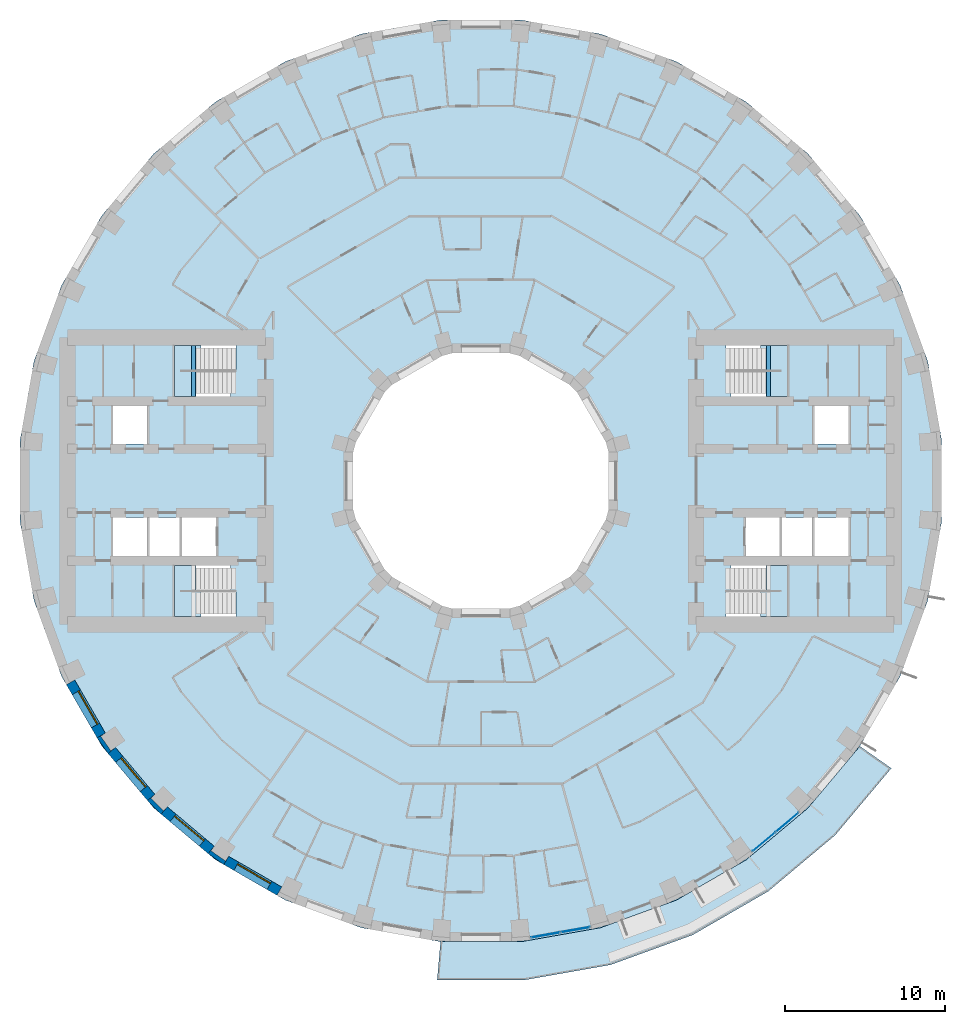
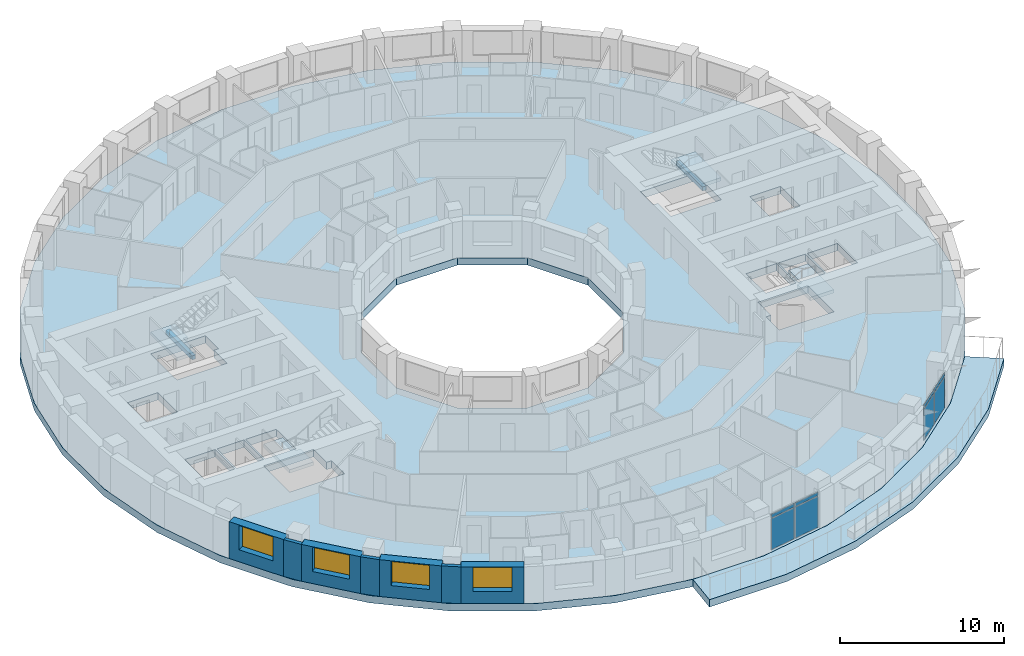
# One storey, part 4 of 16: 8 plates, 7 walls, 6 slabs, 4 windows, 2 beams, 4 openings, 6 elements without a shape of their own.
"""IFC4 building model written with IfcOpenShell, lengths in metres."""

from ifc_helpers import new_model, si_unit, direction, frame, frame_2d, origin, origin_2d, place, context, subcontext, project, spatial, polyline, rectangle, outline, extrude, material, layer, layer_set, material_profile, profile_set, type_object, element, fill, aggregate, save


model = new_model("IFC4")

# Units and contexts
model_context = context("Model", 3, precision=1e-05, world=origin(), true_north=direction((0.0, 1.0)))
body_context = subcontext(model_context, "Body", "Model", "MODEL_VIEW")
ifc_project = project(units=[si_unit("LENGTHUNIT", "METRE"), si_unit("AREAUNIT", "SQUARE_METRE"), si_unit("VOLUMEUNIT", "CUBIC_METRE"), si_unit("PLANEANGLEUNIT", "RADIAN"), si_unit("MASSUNIT", "GRAM", prefix="KILO")], contexts=[model_context])

# Site, building, storey
site_placement = place(None, origin())
site = spatial("IfcSite", under=ifc_project, at=site_placement, CompositionType="ELEMENT")
building_placement = place(site_placement, origin())
building = spatial("IfcBuilding", under=site, at=building_placement, Name="Saqina Gate Tower", CompositionType="ELEMENT")
storey_placement = place(building_placement, frame((0.0, 0.0, 32.89990234375)))
storey = spatial("IfcBuildingStorey", under=building, at=storey_placement, Name="L08", CompositionType="ELEMENT", Elevation=32.89990234375)

# Beams
ifc_material_1 = material(Name="Concrete C40/50", Category="concrete")
ifc_material_profile = material_profile(ifc_material_1, rectangle(XDim=0.25, YDim=0.300048828125, at=origin_2d()), Name="STAIR LANDING BEAM")
ifc_profile_set = profile_set([ifc_material_profile], Name="Concrete C40/50")
beam_type = type_object("IfcBeamType", Name="STAIR LANDING BEAM", PredefinedType="BEAM", material=ifc_profile_set)
for number, where, z_axis, x_axis, name in (
    (1, (18.02001953125, 5.300048828125, 1.25), (0.0, 1.0, 0.0), (-1.0, 0.0, 0.0), "EXIT STAIR 1 LANDING BEAM"),
    (2, (-18.02001953125, 5.300048828125, 1.25), (0.0, 1.0, 0.0), (-1.0, 0.0, 0.0), "EXIT STAIR 3 LANDING BEAM"),
):
    element("IfcBeam", number, at=place(storey_placement, frame(where, z_axis=z_axis, x_axis=x_axis)), inside=storey, type_object=beam_type, Name=name, PredefinedType="BEAM", context=body_context, shape_type="SweptSolid", body=[
        extrude(rectangle(XDim=0.25, YDim=0.300048828125, at=origin_2d()), origin(), (0.0, 0.0, 1.0), 3.199951171875),
    ])

# Curtain wall, plates
ifc_material_2 = material(Name="Aluminium glazing", Category="aluminium")
ifc_layer_1 = layer(ifc_material_2, 0.159912109375)
ifc_layer_set_1 = layer_set([ifc_layer_1], Name="CWT-4")
curtain_wall_type = type_object("IfcCurtainWallType", Name="CWT-4", PredefinedType="NOTDEFINED", material=ifc_layer_set_1)
curtain_wall_1_placement = place(storey_placement, origin())
curtain_wall_1 = element("IfcCurtainWall", 3, at=curtain_wall_1_placement, inside=storey, type_object=curtain_wall_type, Name="Terrace lounge glazing facet 28", PredefinedType="NOTDEFINED")
ifc_material_3 = material(Name="Glass", Category="glass")
ifc_layer_2 = layer(ifc_material_3, 0.028076171875)
ifc_layer_set_2 = layer_set([ifc_layer_2], Name="CWT-4P")
plate_type = type_object("IfcPlateType", Name="CWT-4P", PredefinedType="CURTAIN_PANEL", material=ifc_layer_set_2)
plate_1_placement = place(storey_placement, frame((4.05859375, -28.46728515625, 0.06005859375), z_axis=(0.0, 0.0, 1.0), x_axis=(0.984808678199, 0.17364293059, 0.0)))
plate_1 = element("IfcPlate", 4, at=plate_1_placement, type_object=plate_type, Name="CW4-28 panel 1.1", PredefinedType="CURTAIN_PANEL", context=body_context, shape_type="SweptSolid", body=[
    extrude(rectangle(XDim=1.8330078125, YDim=0.028076171875, at=origin_2d()), origin(), (0.0, 0.0, 1.0), 2.31005859375),
])
plate_2_placement = place(storey_placement, frame((4.05859375, -28.46728515625, 2.43017578125), z_axis=(0.0, 0.0, 1.0), x_axis=(0.984808678199, 0.17364293059, 0.0)))
plate_2 = element("IfcPlate", 5, at=plate_2_placement, type_object=plate_type, Name="CW4-28 panel 1.2", PredefinedType="CURTAIN_PANEL", context=body_context, shape_type="SweptSolid", body=[
    extrude(rectangle(XDim=1.8330078125, YDim=0.028076171875, at=origin_2d()), origin(), (0.0, 0.0, 1.0), 0.260009765625),
])
plate_3_placement = place(storey_placement, frame((5.922607421875, -28.138671875, 0.06005859375), z_axis=(0.0, 0.0, 1.0), x_axis=(0.984808678199, 0.17364293059, 0.0)))
plate_3 = element("IfcPlate", 6, at=plate_3_placement, type_object=plate_type, Name="CW4-28 panel 2.1", PredefinedType="CURTAIN_PANEL", context=body_context, shape_type="SweptSolid", body=[
    extrude(rectangle(XDim=1.8330078125, YDim=0.028076171875, at=origin_2d()), origin(), (0.0, 0.0, 1.0), 2.31005859375),
])
plate_4_placement = place(storey_placement, frame((5.922607421875, -28.138671875, 2.43017578125), z_axis=(0.0, 0.0, 1.0), x_axis=(0.984808678199, 0.17364293059, 0.0)))
plate_4 = element("IfcPlate", 7, at=plate_4_placement, type_object=plate_type, Name="CW4-28 panel 2.2", PredefinedType="CURTAIN_PANEL", context=body_context, shape_type="SweptSolid", body=[
    extrude(rectangle(XDim=1.8330078125, YDim=0.028076171875, at=origin_2d()), origin(), (0.0, 0.0, 1.0), 0.260009765625),
])
aggregate(curtain_wall_1, [plate_1, plate_2, plate_3, plate_4])

curtain_wall_2_placement = place(storey_placement, origin())
curtain_wall_2 = element("IfcCurtainWall", 8, at=curtain_wall_2_placement, inside=storey, type_object=curtain_wall_type, Name="Terrace lounge glazing facet 31", PredefinedType="NOTDEFINED")
plate_5_placement = place(storey_placement, frame((17.74853515625, -22.624267578125, 0.06005859375), z_axis=(0.0, 0.0, 1.0), x_axis=(0.766040784332, 0.642791970033, 0.0)))
plate_5 = element("IfcPlate", 9, at=plate_5_placement, type_object=plate_type, Name="CW4-31 panel 1.1", PredefinedType="CURTAIN_PANEL", context=body_context, shape_type="SweptSolid", body=[
    extrude(rectangle(XDim=1.8330078125, YDim=0.028076171875, at=origin_2d()), origin(), (0.0, 0.0, 1.0), 2.31005859375),
])
plate_6_placement = place(storey_placement, frame((17.74853515625, -22.624267578125, 2.43017578125), z_axis=(0.0, 0.0, 1.0), x_axis=(0.766040784332, 0.642791970033, 0.0)))
plate_6 = element("IfcPlate", 10, at=plate_6_placement, type_object=plate_type, Name="CW4-31 panel 1.2", PredefinedType="CURTAIN_PANEL", context=body_context, shape_type="SweptSolid", body=[
    extrude(rectangle(XDim=1.8330078125, YDim=0.028076171875, at=origin_2d()), origin(), (0.0, 0.0, 1.0), 0.260009765625),
])
plate_7_placement = place(storey_placement, frame((19.198486328125, -21.407470703125, 0.06005859375), z_axis=(0.0, 0.0, 1.0), x_axis=(0.766040784332, 0.642791970033, 0.0)))
plate_7 = element("IfcPlate", 11, at=plate_7_placement, type_object=plate_type, Name="CW4-31 panel 2.1", PredefinedType="CURTAIN_PANEL", context=body_context, shape_type="SweptSolid", body=[
    extrude(rectangle(XDim=1.8330078125, YDim=0.028076171875, at=origin_2d()), origin(), (0.0, 0.0, 1.0), 2.31005859375),
])
plate_8_placement = place(storey_placement, frame((19.198486328125, -21.407470703125, 2.43017578125), z_axis=(0.0, 0.0, 1.0), x_axis=(0.766040784332, 0.642791970033, 0.0)))
plate_8 = element("IfcPlate", 12, at=plate_8_placement, type_object=plate_type, Name="CW4-31 panel 2.2", PredefinedType="CURTAIN_PANEL", context=body_context, shape_type="SweptSolid", body=[
    extrude(rectangle(XDim=1.8330078125, YDim=0.028076171875, at=origin_2d()), origin(), (0.0, 0.0, 1.0), 0.260009765625),
])
aggregate(curtain_wall_2, [plate_5, plate_6, plate_7, plate_8])

# Stair, slab
ifc_material_4 = material(Name="Concrete C40/50", Category="concrete")
stair_type = type_object("IfcStairType", Name="EXIT STAIR", PredefinedType="HALF_TURN_STAIR", material=ifc_material_4)
stair_1_placement = place(storey_placement, origin())
stair_1 = element("IfcStair", 13, at=stair_1_placement, inside=storey, type_object=stair_type, Name="EXIT STAIR 1", PredefinedType="HALF_TURN_STAIR")
ifc_material_5 = material(Name="Concrete C40/50", Category="concrete")
ifc_layer_3 = layer(ifc_material_5, 0.25)
ifc_layer_set_3 = layer_set([ifc_layer_3], Name="Concrete C40/50")
slab_type_1 = type_object("IfcSlabType", Name="EXIT STAIR LANDING", PredefinedType="LANDING", material=ifc_layer_set_3)
slab_1_placement = place(storey_placement, frame((0.0, 0.0, 1.400146484375)))
slab_1 = element("IfcSlab", 14, at=slab_1_placement, type_object=slab_type_1, Name="EXIT STAIR 1 LANDING 1", PredefinedType="LANDING", context=body_context, shape_type="SweptSolid", body=[
    extrude(outline(polyline([(19.219970703125, 8.5), (19.219970703125, 5.300048828125), (17.864990234375, 5.300048828125), (17.864990234375, 6.89990234375), (17.534423828125, 6.89990234375), (17.534423828125, 8.5), (17.864990234375, 8.5), (17.8701171875, 8.5), (19.219970703125, 8.5)])), origin(), (0.0, 0.0, 1.0), 0.25),
])
aggregate(stair_1, [slab_1])

stair_2_placement = place(storey_placement, origin())
stair_2 = element("IfcStair", 15, at=stair_2_placement, inside=storey, type_object=stair_type, Name="EXIT STAIR 2", PredefinedType="HALF_TURN_STAIR")
slab_2_placement = place(storey_placement, frame((0.0, 0.0, 1.400146484375)))
slab_2 = element("IfcSlab", 16, at=slab_2_placement, type_object=slab_type_1, Name="EXIT STAIR 2 LANDING 1", PredefinedType="LANDING", context=body_context, shape_type="SweptSolid", body=[
    extrude(outline(polyline([(17.534423828125, -8.5), (17.534423828125, -6.89990234375), (17.864990234375, -6.89990234375), (17.864990234375, -5.300048828125), (19.219970703125, -5.300048828125), (19.219970703125, -8.5), (17.8701171875, -8.5), (17.864990234375, -8.5), (17.534423828125, -8.5)])), origin(), (0.0, 0.0, 1.0), 0.25),
])
aggregate(stair_2, [slab_2])

stair_3_placement = place(storey_placement, origin())
stair_3 = element("IfcStair", 17, at=stair_3_placement, inside=storey, type_object=stair_type, Name="EXIT STAIR 3", PredefinedType="HALF_TURN_STAIR")
slab_3_placement = place(storey_placement, frame((0.0, 0.0, 1.400146484375)))
slab_3 = element("IfcSlab", 18, at=slab_3_placement, type_object=slab_type_1, Name="EXIT STAIR 3 LANDING 1", PredefinedType="LANDING", context=body_context, shape_type="SweptSolid", body=[
    extrude(outline(polyline([(-17.864990234375, 5.300048828125), (-19.219970703125, 5.300048828125), (-19.219970703125, 8.5), (-17.8701171875, 8.5), (-17.864990234375, 8.5), (-17.534423828125, 8.5), (-17.534423828125, 6.89990234375), (-17.864990234375, 6.89990234375), (-17.864990234375, 5.300048828125)])), origin(), (0.0, 0.0, 1.0), 0.25),
])
aggregate(stair_3, [slab_3])

stair_4_placement = place(storey_placement, origin())
stair_4 = element("IfcStair", 19, at=stair_4_placement, inside=storey, type_object=stair_type, Name="EXIT STAIR 4", PredefinedType="HALF_TURN_STAIR")
slab_4_placement = place(storey_placement, frame((0.0, 0.0, 1.400146484375)))
slab_4 = element("IfcSlab", 20, at=slab_4_placement, type_object=slab_type_1, Name="EXIT STAIR 4 LANDING 1", PredefinedType="LANDING", context=body_context, shape_type="SweptSolid", body=[
    extrude(outline(polyline([(-17.534423828125, -6.89990234375), (-17.534423828125, -8.5), (-17.864990234375, -8.5), (-17.8701171875, -8.5), (-19.219970703125, -8.5), (-19.219970703125, -5.300048828125), (-17.864990234375, -5.300048828125), (-17.864990234375, -6.89990234375), (-17.534423828125, -6.89990234375)])), origin(), (0.0, 0.0, 1.0), 0.25),
])
aggregate(stair_4, [slab_4])

# Slabs
ifc_material_6 = material(Name="Concrete C40/50", Category="concrete")
ifc_layer_4 = layer(ifc_material_6, 0.550048828125)
ifc_layer_set_4 = layer_set([ifc_layer_4], Name="Concrete C40/50")
slab_type_2 = type_object("IfcSlabType", Name="STR-POST-TENSIONED FLAT PLATE FLOOR-550", PredefinedType="FLOOR", material=ifc_layer_set_4)
slab_5_placement = place(storey_placement, frame((0.0, 0.0, -0.5498046875)))
element("IfcSlab", 21, at=slab_5_placement, inside=storey, type_object=slab_type_2, Name="L08-SLB01", PredefinedType="FLOOR", context=body_context, shape_type="SweptSolid", body=[
    extrude(outline(polyline([(28.011962890625, -7.505859375), (28.8896484375, -2.527587890625), (28.8896484375, 2.527587890625), (28.011962890625, 7.505859375), (26.282958984375, 12.255859375), (23.75537109375, 16.6337890625), (20.506103515625, 20.506103515625), (16.6337890625, 23.75537109375), (12.255859375, 26.282958984375), (7.505859375, 28.011962890625), (2.527587890625, 28.8896484375), (-2.527587890625, 28.8896484375), (-7.505859375, 28.011962890625), (-12.255859375, 26.282958984375), (-16.6337890625, 23.75537109375), (-20.506103515625, 20.506103515625), (-23.75537109375, 16.6337890625), (-26.282958984375, 12.255859375), (-28.011962890625, 7.505859375), (-28.8896484375, 2.527587890625), (-28.8896484375, -2.527587890625), (-28.011962890625, -7.505859375), (-26.282958984375, -12.255859375), (-23.75537109375, -16.6337890625), (-20.506103515625, -20.506103515625), (-16.6337890625, -23.75537109375), (-12.255859375, -26.282958984375), (-7.505859375, -28.011962890625), (-2.527587890625, -28.8896484375), (2.527587890625, -28.8896484375), (7.505859375, -28.011962890625), (12.255859375, -26.282958984375), (16.6337890625, -23.75537109375), (20.506103515625, -20.506103515625), (23.75537109375, -16.6337890625), (26.282958984375, -12.255859375), (28.011962890625, -7.505859375)]), holes=[polyline([(2.1435546875, 8.0), (5.8564453125, 5.8564453125), (8.0, 2.1435546875), (8.0, -2.1435546875), (5.8564453125, -5.8564453125), (2.1435546875, -8.0), (-2.1435546875, -8.0), (-5.8564453125, -5.8564453125), (-8.0, -2.1435546875), (-8.0, 2.1435546875), (-5.8564453125, 5.8564453125), (-2.1435546875, 8.0), (2.1435546875, 8.0)]), polyline([(-19.219970703125, -8.5), (-19.219970703125, -6.89990234375), (-19.219970703125, -5.300048828125), (-15.685546875, -5.300048828125), (-15.685546875, -6.89990234375), (-15.35498046875, -6.89990234375), (-15.35498046875, -8.5), (-19.219970703125, -8.5)]), polyline([(-20.89990234375, -2.300048828125), (-20.89990234375, -4.699951171875), (-23.06005859375, -4.699951171875), (-23.06005859375, -2.300048828125), (-20.89990234375, -2.300048828125)]), polyline([(-18.8701171875, -2.300048828125), (-18.8701171875, -4.699951171875), (-20.780029296875, -4.699951171875), (-20.780029296875, -2.300048828125), (-18.8701171875, -2.300048828125)]), polyline([(-16.590087890625, -2.300048828125), (-16.590087890625, -4.699951171875), (-18.75, -4.699951171875), (-18.75, -2.300048828125), (-16.590087890625, -2.300048828125)]), polyline([(-20.89990234375, 4.699951171875), (-20.89990234375, 2.300048828125), (-23.06005859375, 2.300048828125), (-23.06005859375, 4.699951171875), (-20.89990234375, 4.699951171875)]), polyline([(-19.219970703125, 6.89990234375), (-19.219970703125, 8.5), (-15.35498046875, 8.5), (-15.35498046875, 6.89990234375), (-15.685546875, 6.89990234375), (-15.685546875, 5.300048828125), (-19.219970703125, 5.300048828125), (-19.219970703125, 6.89990234375)]), polyline([(15.35498046875, -6.89990234375), (15.685546875, -6.89990234375), (15.685546875, -5.300048828125), (19.219970703125, -5.300048828125), (19.219970703125, -6.89990234375), (19.219970703125, -8.5), (15.35498046875, -8.5), (15.35498046875, -6.89990234375)]), polyline([(18.75, -2.300048828125), (18.75, -4.699951171875), (16.590087890625, -4.699951171875), (16.590087890625, -2.300048828125), (18.75, -2.300048828125)]), polyline([(20.780029296875, -2.300048828125), (20.780029296875, -4.699951171875), (18.8701171875, -4.699951171875), (18.8701171875, -2.300048828125), (20.780029296875, -2.300048828125)]), polyline([(23.06005859375, -2.300048828125), (23.06005859375, -4.699951171875), (20.89990234375, -4.699951171875), (20.89990234375, -2.300048828125), (23.06005859375, -2.300048828125)]), polyline([(23.06005859375, 4.699951171875), (23.06005859375, 2.300048828125), (20.89990234375, 2.300048828125), (20.89990234375, 4.699951171875), (23.06005859375, 4.699951171875)]), polyline([(15.685546875, 6.89990234375), (15.35498046875, 6.89990234375), (15.35498046875, 8.5), (19.219970703125, 8.5), (19.219970703125, 6.89990234375), (19.219970703125, 5.300048828125), (15.685546875, 5.300048828125), (15.685546875, 6.89990234375)])]), origin(), (0.0, 0.0, 1.0), 0.5498046875),
])
ifc_material_7 = material(Name="Concrete C40/50", Category="concrete")
ifc_layer_5 = layer(ifc_material_7, 0.550048828125)
ifc_layer_set_5 = layer_set([ifc_layer_5], Name="Concrete C40/50")
slab_type_3 = type_object("IfcSlabType", Name="STR-POST-TENSIONED FLAT PLATE TERRACE-550", PredefinedType="FLOOR", material=ifc_layer_set_5)
slab_6_placement = place(storey_placement, frame((0.0, 0.0, -0.5498046875)))
element("IfcSlab", 22, at=slab_6_placement, inside=storey, type_object=slab_type_3, Name="L08-TRS01", PredefinedType="FLOOR", context=body_context, shape_type="SweptSolid", body=[
    extrude(outline(polyline([(-2.527587890625, -28.8896484375), (2.527587890625, -28.8896484375), (7.505859375, -28.011962890625), (12.255859375, -26.282958984375), (16.6337890625, -23.75537109375), (20.506103515625, -20.506103515625), (23.75537109375, -16.6337890625), (25.72900390625, -18.015625), (22.209716796875, -22.209716796875), (18.015625, -25.72900390625), (13.274169921875, -28.46630859375), (8.12939453125, -30.3388671875), (2.737548828125, -31.28955078125), (-2.737548828125, -31.28955078125), (-2.527587890625, -28.8896484375)])), origin(), (0.0, 0.0, 1.0), 0.5498046875),
])

# Walls
ifc_material_8 = material(Name="Brick masonry (red)", Category="masonry")
wall_type_1 = type_object("IfcWallType", Name="BRICK PIER COPING RED", PredefinedType="SOLIDWALL", material=ifc_material_8)
wall_1_placement = place(storey_placement, origin())
element("IfcWall", 23, at=wall_1_placement, inside=storey, type_object=wall_type_1, Name="Pier cap L08 column 22", PredefinedType="SOLIDWALL", context=body_context, shape_type="SweptSolid", body=[
    extrude(outline(polyline([(-24.0576171875, -16.110107421875), (-23.36669921875, -17.096923828125), (-22.9072265625, -16.711181640625), (-23.194091796875, -16.912109375), (-23.8251953125, -16.010986328125), (-23.5380859375, -15.81005859375), (-24.0576171875, -16.110107421875)])), origin(), (0.0, 0.0, 1.0), 2.75),
])
wall_2_placement = place(storey_placement, origin())
element("IfcWall", 24, at=wall_2_placement, inside=storey, type_object=wall_type_1, Name="Pier cap L08 column 23", PredefinedType="SOLIDWALL", context=body_context, shape_type="SweptSolid", body=[
    extrude(outline(polyline([(-20.04296875, -20.894775390625), (-19.6572265625, -20.43505859375), (-19.905029296875, -20.682861328125), (-20.682861328125, -19.905029296875), (-20.43505859375, -19.6572265625), (-20.894775390625, -20.04296875), (-20.04296875, -20.894775390625)])), origin(), (0.0, 0.0, 1.0), 2.75),
])
wall_3_placement = place(storey_placement, origin())
element("IfcWall", 25, at=wall_3_placement, inside=storey, type_object=wall_type_1, Name="Pier cap L08 column 24", PredefinedType="SOLIDWALL", context=body_context, shape_type="SweptSolid", body=[
    extrude(outline(polyline([(-17.096923828125, -23.36669921875), (-16.110107421875, -24.0576171875), (-15.81005859375, -23.5380859375), (-16.010986328125, -23.8251953125), (-16.912109375, -23.194091796875), (-16.711181640625, -22.9072265625), (-17.096923828125, -23.36669921875)])), origin(), (0.0, 0.0, 1.0), 2.75),
])

# Wall, opening, window
ifc_material_9 = material(Name="Brick masonry (red)", Category="masonry")
ifc_layer_6 = layer(ifc_material_9, 0.60009765625)
ifc_layer_set_6 = layer_set([ifc_layer_6], Name="FW-BRICK-RED")
wall_type_2 = type_object("IfcWallType", Name="FW-BRICK-RED", PredefinedType="SOLIDWALL", material=ifc_layer_set_6)
wall_4_placement = place(storey_placement, frame((-25.720703125, -12.629638671875, 0.0), z_axis=(0.0, 0.0, 1.0), x_axis=(0.499989888488, -0.86603124159, 0.0)))
wall_4 = element("IfcWall", 26, at=wall_4_placement, inside=storey, type_object=wall_type_2, Name="Facade wall L08 facet 21", PredefinedType="SOLIDWALL", context=body_context, shape_type="SweptSolid", body=[
    extrude(rectangle(XDim=3.845703125, YDim=0.60009765625, at=frame_2d((1.9228515625, 0.0))), origin(), (0.0, 0.0, 1.0), 2.75),
])
opening_1_placement = place(wall_4_placement, frame((0.722900390625, 0.0, 0.89990234375)))
opening_1 = element("IfcOpeningElement", 27, at=opening_1_placement, cuts=wall_4, Name="Opening G01-W14", PredefinedType="OPENING", context=body_context, shape_type="SweptSolid", body=[
    extrude(rectangle(XDim=2.39990234375, YDim=1.800048828125, at=frame_2d((1.199951171875, 0.89990234375))), frame((0.0, 0.31201171875, 0.0), z_axis=(0.0, -1.0, 0.0), x_axis=(1.0, 0.0, 0.0)), (0.0, 0.0, 1.0), 0.6240234375),
])
ifc_material_10 = material(Name="Aluminium glazing", Category="aluminium")
window_type = type_object("IfcWindowType", Name="WN-A", PartitioningType="SINGLE_PANEL", PredefinedType="WINDOW", material=ifc_material_10)
window_1_placement = place(opening_1_placement, origin())
window_1 = element("IfcWindow", 28, at=window_1_placement, inside=storey, type_object=window_type, Name="Window L08 facet 21", OverallHeight=1.800048828125, OverallWidth=2.39990234375, PartitioningType="SINGLE_PANEL", PredefinedType="WINDOW", context=body_context, shape_type="SweptSolid", body=[
    extrude(rectangle(XDim=2.39990234375, YDim=1.800048828125, at=frame_2d((1.199951171875, 0.89990234375))), frame((0.0, 0.179931640625, 0.0), z_axis=(0.0, -1.0, 0.0), x_axis=(1.0, 0.0, 0.0)), (0.0, 0.0, 1.0), 0.06005859375),
])
fill(opening_1, window_1)

wall_5_placement = place(storey_placement, frame((-23.136962890625, -16.904052734375, 0.0), z_axis=(0.0, 0.0, 1.0), x_axis=(0.642809392687, -0.766026164483, 0.0)))
wall_5 = element("IfcWall", 29, at=wall_5_placement, inside=storey, type_object=wall_type_2, Name="Facade wall L08 facet 22", PredefinedType="SOLIDWALL", context=body_context, shape_type="SweptSolid", body=[
    extrude(rectangle(XDim=3.845947265625, YDim=0.60009765625, at=frame_2d((1.9228515625, 0.0))), origin(), (0.0, 0.0, 1.0), 2.75),
])
opening_2_placement = place(wall_5_placement, frame((0.722900390625, 0.0, 0.89990234375)))
opening_2 = element("IfcOpeningElement", 30, at=opening_2_placement, cuts=wall_5, Name="Opening G01-W15", PredefinedType="OPENING", context=body_context, shape_type="SweptSolid", body=[
    extrude(rectangle(XDim=2.39990234375, YDim=1.800048828125, at=frame_2d((1.199951171875, 0.89990234375))), frame((0.0, 0.31201171875, 0.0), z_axis=(0.0, -1.0, 0.0), x_axis=(1.0, 0.0, 0.0)), (0.0, 0.0, 1.0), 0.6240234375),
])
window_2_placement = place(opening_2_placement, origin())
window_2 = element("IfcWindow", 31, at=window_2_placement, inside=storey, type_object=window_type, Name="Window L08 facet 22", OverallHeight=1.800048828125, OverallWidth=2.39990234375, PartitioningType="SINGLE_PANEL", PredefinedType="WINDOW", context=body_context, shape_type="SweptSolid", body=[
    extrude(rectangle(XDim=2.39990234375, YDim=1.800048828125, at=frame_2d((1.199951171875, 0.89990234375))), frame((0.0, 0.179931640625, 0.0), z_axis=(0.0, -1.0, 0.0), x_axis=(1.0, 0.0, 0.0)), (0.0, 0.0, 1.0), 0.06005859375),
])
fill(opening_2, window_2)

wall_6_placement = place(storey_placement, frame((-19.85009765625, -20.664794921875, 0.0), z_axis=(0.0, 0.0, 1.0), x_axis=(0.766026164483, -0.642809392687, 0.0)))
wall_6 = element("IfcWall", 32, at=wall_6_placement, inside=storey, type_object=wall_type_2, Name="Facade wall L08 facet 23", PredefinedType="SOLIDWALL", context=body_context, shape_type="SweptSolid", body=[
    extrude(rectangle(XDim=3.845947265625, YDim=0.60009765625, at=frame_2d((1.9228515625, 0.0))), origin(), (0.0, 0.0, 1.0), 2.75),
])
opening_3_placement = place(wall_6_placement, frame((0.722900390625, 0.0, 0.89990234375)))
opening_3 = element("IfcOpeningElement", 33, at=opening_3_placement, cuts=wall_6, Name="Opening G01-W16", PredefinedType="OPENING", context=body_context, shape_type="SweptSolid", body=[
    extrude(rectangle(XDim=2.39990234375, YDim=1.800048828125, at=frame_2d((1.199951171875, 0.89990234375))), frame((0.0, 0.31201171875, 0.0), z_axis=(0.0, -1.0, 0.0), x_axis=(1.0, 0.0, 0.0)), (0.0, 0.0, 1.0), 0.6240234375),
])
window_3_placement = place(opening_3_placement, origin())
window_3 = element("IfcWindow", 34, at=window_3_placement, inside=storey, type_object=window_type, Name="Window L08 facet 23", OverallHeight=1.800048828125, OverallWidth=2.39990234375, PartitioningType="SINGLE_PANEL", PredefinedType="WINDOW", context=body_context, shape_type="SweptSolid", body=[
    extrude(rectangle(XDim=2.39990234375, YDim=1.800048828125, at=frame_2d((1.199951171875, 0.89990234375))), frame((0.0, 0.179931640625, 0.0), z_axis=(0.0, -1.0, 0.0), x_axis=(1.0, 0.0, 0.0)), (0.0, 0.0, 1.0), 0.06005859375),
])
fill(opening_3, window_3)

wall_7_placement = place(storey_placement, frame((-15.960205078125, -23.7978515625, 0.0), z_axis=(0.0, 0.0, 1.0), x_axis=(0.86603124159, -0.499989888488, 0.0)))
wall_7 = element("IfcWall", 35, at=wall_7_placement, inside=storey, type_object=wall_type_2, Name="Facade wall L08 facet 24", PredefinedType="SOLIDWALL", context=body_context, shape_type="SweptSolid", body=[
    extrude(rectangle(XDim=3.845703125, YDim=0.60009765625, at=frame_2d((1.9228515625, 0.0))), origin(), (0.0, 0.0, 1.0), 2.75),
])
opening_4_placement = place(wall_7_placement, frame((0.722900390625, 0.0, 0.89990234375)))
opening_4 = element("IfcOpeningElement", 36, at=opening_4_placement, cuts=wall_7, Name="Opening G01-W17", PredefinedType="OPENING", context=body_context, shape_type="SweptSolid", body=[
    extrude(rectangle(XDim=2.39990234375, YDim=1.800048828125, at=frame_2d((1.199951171875, 0.89990234375))), frame((0.0, 0.31201171875, 0.0), z_axis=(0.0, -1.0, 0.0), x_axis=(1.0, 0.0, 0.0)), (0.0, 0.0, 1.0), 0.6240234375),
])
window_4_placement = place(opening_4_placement, origin())
window_4 = element("IfcWindow", 37, at=window_4_placement, inside=storey, type_object=window_type, Name="Window L08 facet 24", OverallHeight=1.800048828125, OverallWidth=2.39990234375, PartitioningType="SINGLE_PANEL", PredefinedType="WINDOW", context=body_context, shape_type="SweptSolid", body=[
    extrude(rectangle(XDim=2.39990234375, YDim=1.800048828125, at=frame_2d((1.199951171875, 0.89990234375))), frame((0.0, 0.179931640625, 0.0), z_axis=(0.0, -1.0, 0.0), x_axis=(1.0, 0.0, 0.0)), (0.0, 0.0, 1.0), 0.06005859375),
])
fill(opening_4, window_4)

save(model, "model.ifc")
